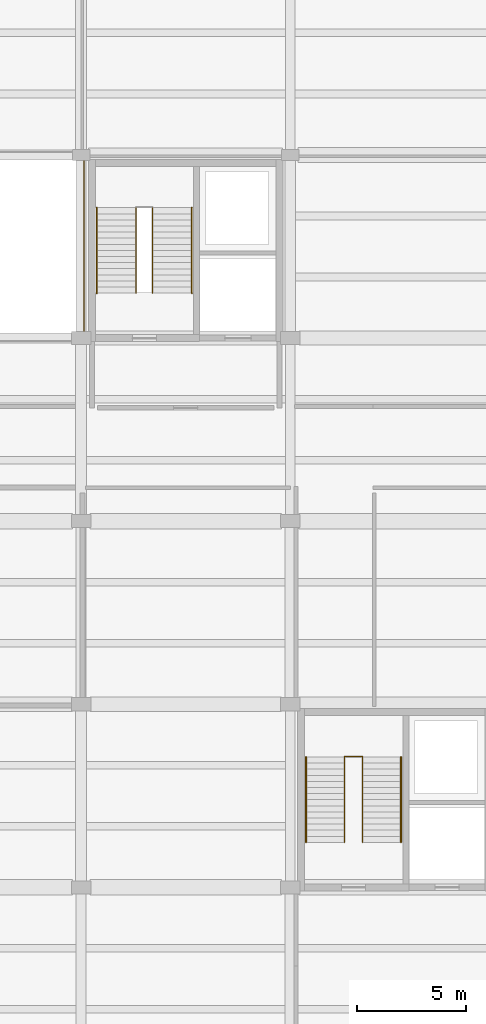
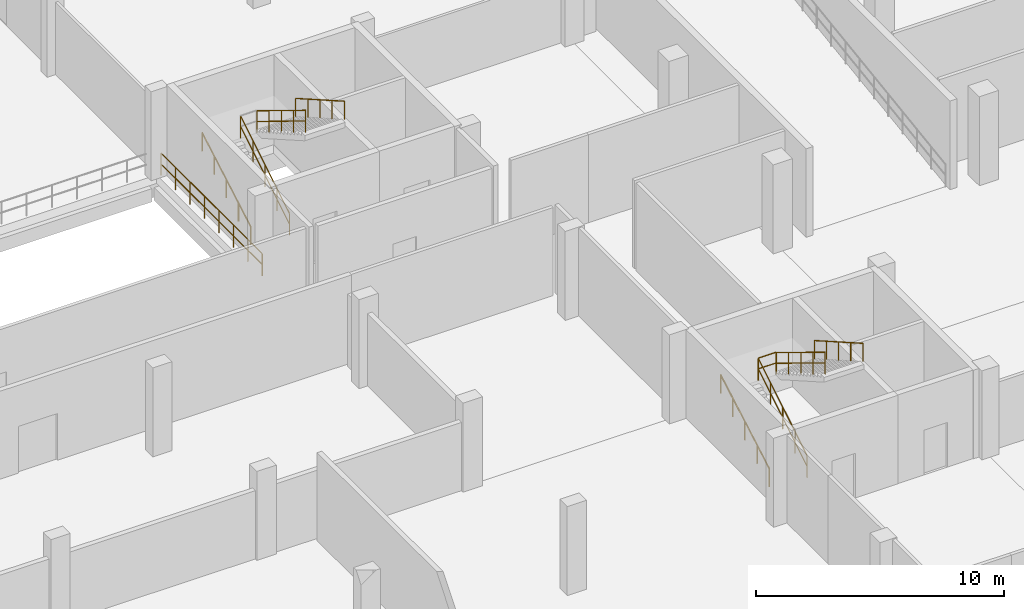
# One storey, part 27 of 30: 10 railings.
"""IFC4 building model written with IfcOpenShell, lengths in metres."""

from ifc_helpers import new_model, si_unit, direction, frame, origin, origin_2d, place, context, subcontext, project, spatial, circle, extrude, material, layer, layer_set, type_object, element, save


model = new_model("IFC4")

# Units and contexts
model_context = context("Model", 3, precision=1e-05, world=origin(), true_north=direction((0.0, 1.0)))
body_context = subcontext(model_context, "Body", "Model", "MODEL_VIEW")
ifc_project = project(units=[si_unit("LENGTHUNIT", "METRE"), si_unit("AREAUNIT", "SQUARE_METRE"), si_unit("VOLUMEUNIT", "CUBIC_METRE"), si_unit("PLANEANGLEUNIT", "RADIAN"), si_unit("MASSUNIT", "GRAM", prefix="KILO")], contexts=[model_context])

# Site, building, storey
site_placement = place(None, origin())
site = spatial("IfcSite", under=ifc_project, at=site_placement, CompositionType="ELEMENT")
building_placement = place(site_placement, origin())
building = spatial("IfcBuilding", under=site, at=building_placement, Name="Lornevale Opera House", CompositionType="ELEMENT")
storey_placement = place(building_placement, frame((0.0, 0.0, -4.800048828125)))
storey = spatial("IfcBuildingStorey", under=building, at=storey_placement, Name="B1", CompositionType="ELEMENT", Elevation=-4.800048828125)

# Railings
ifc_material = material(Name="Structural Steel CSA G40.21 Grade 350W (350 MPa)", Category="steel")
ifc_layer_1 = layer(ifc_material, 0.06005859375)
ifc_layer_set_1 = layer_set([ifc_layer_1], Name="Structural Steel CSA G40.21 Grade 350W (350 MPa)")
railing_type_1 = type_object("IfcRailingType", Name="Atrium Acoustic Balustrade 1120", PredefinedType="BALUSTRADE", material=ifc_layer_set_1)
railing_1_placement = place(storey_placement, frame((96.139892578125, 58.919921875, 0.0)))
element("IfcRailing", 1, at=railing_1_placement, inside=storey, type_object=railing_type_1, Name="Atrium & Bowl Balustrade B1 0258", PredefinedType="BALUSTRADE", context=body_context, shape_type="SweptSolid", body=[
    extrude(circle(Radius=0.02392578125, at=origin_2d()), frame((0.0, 0.0, 1.09619140625), z_axis=(0.0, 1.0, 0.0), x_axis=(-1.0, 0.0, 0.0)), (0.0, 0.0, 1.0), 8.16015625),
    extrude(circle(Radius=0.02392578125, at=origin_2d()), frame((0.0, 0.0, 0.56005859375), z_axis=(0.0, 1.0, 0.0), x_axis=(-1.0, 0.0, 0.0)), (0.0, 0.0, 1.0), 8.16015625),
    extrude(circle(Radius=0.02099609375, at=origin_2d()), origin(), (0.0, 0.0, 1.0), 1.072021484375),
    extrude(circle(Radius=0.02099609375, at=origin_2d()), frame((0.0, 1.165771484375, 0.0)), (0.0, 0.0, 1.0), 1.072021484375),
    extrude(circle(Radius=0.02099609375, at=origin_2d()), frame((0.0, 2.33154296875, 0.0)), (0.0, 0.0, 1.0), 1.072021484375),
    extrude(circle(Radius=0.02099609375, at=origin_2d()), frame((0.0, 3.497314453125, 0.0)), (0.0, 0.0, 1.0), 1.072021484375),
    extrude(circle(Radius=0.02099609375, at=origin_2d()), frame((0.0, 4.662841796875, 0.0)), (0.0, 0.0, 1.0), 1.072021484375),
    extrude(circle(Radius=0.02099609375, at=origin_2d()), frame((0.0, 5.82861328125, 0.0)), (0.0, 0.0, 1.0), 1.072021484375),
    extrude(circle(Radius=0.02099609375, at=origin_2d()), frame((0.0, 6.994384765625, 0.0)), (0.0, 0.0, 1.0), 1.072021484375),
    extrude(circle(Radius=0.02099609375, at=origin_2d()), frame((0.0, 8.16015625, 0.0)), (0.0, 0.0, 1.0), 1.072021484375),
])
ifc_layer_2 = layer(ifc_material, 0.050048828125)
ifc_layer_set_2 = layer_set([ifc_layer_2], Name="Structural Steel CSA G40.21 Grade 350W (350 MPa)")
railing_type_2 = type_object("IfcRailingType", Name="Stair Well Guardrail 1100", PredefinedType="GUARDRAIL", material=ifc_layer_set_2)
railing_2_placement = place(storey_placement, frame((108.080078125, 35.659912109375, 0.0)))
element("IfcRailing", 2, at=railing_2_placement, inside=storey, type_object=railing_type_2, Name="ST-05 Inner Well Guard F1", PredefinedType="GUARDRAIL", context=body_context, shape_type="SweptSolid", body=[
    extrude(circle(Radius=0.02392578125, at=origin_2d()), frame((0.0, 0.0, 1.076171875), z_axis=(0.0, 0.852846959695, 0.522160955394), x_axis=(-1.0, 0.0, 0.0)), (0.0, 0.0, 1.0), 4.5966796875),
    extrude(circle(Radius=0.02392578125, at=origin_2d()), frame((0.0, 0.0, 0.550048828125), z_axis=(0.0, 0.852846959695, 0.522160955394), x_axis=(-1.0, 0.0, 0.0)), (0.0, 0.0, 1.0), 4.5966796875),
    extrude(circle(Radius=0.02099609375, at=origin_2d()), origin(), (0.0, 0.0, 1.0), 1.052001953125),
    extrude(circle(Radius=0.02099609375, at=origin_2d()), frame((0.0, 0.97998046875, 0.60009765625)), (0.0, 0.0, 1.0), 1.052001953125),
    extrude(circle(Radius=0.02099609375, at=origin_2d()), frame((0.0, 1.9599609375, 1.2001953125)), (0.0, 0.0, 1.0), 1.052001953125),
    extrude(circle(Radius=0.02099609375, at=origin_2d()), frame((0.0, 2.940185546875, 1.800048828125)), (0.0, 0.0, 1.0), 1.052001953125),
    extrude(circle(Radius=0.02099609375, at=origin_2d()), frame((0.0, 3.920166015625, 2.400146484375)), (0.0, 0.0, 1.0), 1.052001953125),
])
railing_3_placement = place(storey_placement, frame((108.919921875, 39.580078125, 2.400146484375)))
element("IfcRailing", 3, at=railing_3_placement, inside=storey, type_object=railing_type_2, Name="ST-05 Inner Well Guard F2", PredefinedType="GUARDRAIL", context=body_context, shape_type="SweptSolid", body=[
    extrude(circle(Radius=0.02392578125, at=origin_2d()), frame((0.0, 0.0, 1.076171875), z_axis=(0.0, -0.852870612257, 0.522122321634), x_axis=(1.0, 0.0, 0.0)), (0.0, 0.0, 1.0), 4.596435546875),
    extrude(circle(Radius=0.02392578125, at=origin_2d()), frame((0.0, 0.0, 0.550048828125), z_axis=(0.0, -0.852870612257, 0.522122321634), x_axis=(1.0, 0.0, 0.0)), (0.0, 0.0, 1.0), 4.596435546875),
    extrude(circle(Radius=0.02099609375, at=origin_2d()), origin(), (0.0, 0.0, 1.0), 1.052001953125),
    extrude(circle(Radius=0.02099609375, at=origin_2d()), frame((0.0, -0.97998046875, 0.60009765625)), (0.0, 0.0, 1.0), 1.052001953125),
    extrude(circle(Radius=0.02099609375, at=origin_2d()), frame((0.0, -1.9599609375, 1.199951171875)), (0.0, 0.0, 1.0), 1.052001953125),
    extrude(circle(Radius=0.02099609375, at=origin_2d()), frame((0.0, -2.940185546875, 1.7998046875)), (0.0, 0.0, 1.0), 1.052001953125),
    extrude(circle(Radius=0.02099609375, at=origin_2d()), frame((0.0, -3.920166015625, 2.39990234375)), (0.0, 0.0, 1.0), 1.052001953125),
])
railing_4_placement = place(storey_placement, frame((108.080078125, 39.610107421875, 2.400146484375)))
element("IfcRailing", 4, at=railing_4_placement, inside=storey, type_object=railing_type_2, Name="ST-05 Half-Landing Slot Guard", PredefinedType="GUARDRAIL", context=body_context, shape_type="SweptSolid", body=[
    extrude(circle(Radius=0.02392578125, at=origin_2d()), frame((0.0, 0.0, 1.076171875), z_axis=(1.0, 0.0, 0.0), x_axis=(0.0, 1.0, 0.0)), (0.0, 0.0, 1.0), 0.83984375),
    extrude(circle(Radius=0.02392578125, at=origin_2d()), frame((0.0, 0.0, 0.550048828125), z_axis=(1.0, 0.0, 0.0), x_axis=(0.0, 1.0, 0.0)), (0.0, 0.0, 1.0), 0.83984375),
    extrude(circle(Radius=0.02099609375, at=origin_2d()), origin(), (0.0, 0.0, 1.0), 1.052001953125),
    extrude(circle(Radius=0.02099609375, at=origin_2d()), frame((0.83984375, 0.0, 0.0)), (0.0, 0.0, 1.0), 1.052001953125),
])
railing_5_placement = place(storey_placement, frame((98.52001953125, 60.860107421875, 0.0)))
element("IfcRailing", 5, at=railing_5_placement, inside=storey, type_object=railing_type_2, Name="ST-21 Inner Well Guard F1", PredefinedType="GUARDRAIL", context=body_context, shape_type="SweptSolid", body=[
    extrude(circle(Radius=0.02392578125, at=origin_2d()), frame((0.0, 0.0, 1.076171875), z_axis=(0.0, 0.852832477147, 0.522184609045), x_axis=(-1.0, 0.0, 0.0)), (0.0, 0.0, 1.0), 4.596435546875),
    extrude(circle(Radius=0.02392578125, at=origin_2d()), frame((0.0, 0.0, 0.550048828125), z_axis=(0.0, 0.852832477147, 0.522184609045), x_axis=(-1.0, 0.0, 0.0)), (0.0, 0.0, 1.0), 4.596435546875),
    extrude(circle(Radius=0.02099609375, at=origin_2d()), origin(), (0.0, 0.0, 1.0), 1.052001953125),
    extrude(circle(Radius=0.02099609375, at=origin_2d()), frame((0.0, 0.97998046875, 0.60009765625)), (0.0, 0.0, 1.0), 1.052001953125),
    extrude(circle(Radius=0.02099609375, at=origin_2d()), frame((0.0, 1.9599609375, 1.2001953125)), (0.0, 0.0, 1.0), 1.052001953125),
    extrude(circle(Radius=0.02099609375, at=origin_2d()), frame((0.0, 2.93994140625, 1.800048828125)), (0.0, 0.0, 1.0), 1.052001953125),
    extrude(circle(Radius=0.02099609375, at=origin_2d()), frame((0.0, 3.919921875, 2.400146484375)), (0.0, 0.0, 1.0), 1.052001953125),
])
railing_6_placement = place(storey_placement, frame((99.280029296875, 64.780029296875, 2.400146484375)))
element("IfcRailing", 6, at=railing_6_placement, inside=storey, type_object=railing_type_2, Name="ST-21 Inner Well Guard F2", PredefinedType="GUARDRAIL", context=body_context, shape_type="SweptSolid", body=[
    extrude(circle(Radius=0.02392578125, at=origin_2d()), frame((0.0, 0.0, 1.076171875), z_axis=(0.0, -0.852856131449, 0.522145974847), x_axis=(1.0, 0.0, 0.0)), (0.0, 0.0, 1.0), 4.59619140625),
    extrude(circle(Radius=0.02392578125, at=origin_2d()), frame((0.0, 0.0, 0.550048828125), z_axis=(0.0, -0.852856131449, 0.522145974847), x_axis=(1.0, 0.0, 0.0)), (0.0, 0.0, 1.0), 4.59619140625),
    extrude(circle(Radius=0.02099609375, at=origin_2d()), origin(), (0.0, 0.0, 1.0), 1.052001953125),
    extrude(circle(Radius=0.02099609375, at=origin_2d()), frame((0.0, -0.97998046875, 0.60009765625)), (0.0, 0.0, 1.0), 1.052001953125),
    extrude(circle(Radius=0.02099609375, at=origin_2d()), frame((0.0, -1.9599609375, 1.199951171875)), (0.0, 0.0, 1.0), 1.052001953125),
    extrude(circle(Radius=0.02099609375, at=origin_2d()), frame((0.0, -2.93994140625, 1.7998046875)), (0.0, 0.0, 1.0), 1.052001953125),
    extrude(circle(Radius=0.02099609375, at=origin_2d()), frame((0.0, -3.919921875, 2.39990234375)), (0.0, 0.0, 1.0), 1.052001953125),
])
ifc_layer_3 = layer(ifc_material, 0.048095703125)
ifc_layer_set_3 = layer_set([ifc_layer_3], Name="Structural Steel CSA G40.21 Grade 350W (350 MPa)")
railing_type_3 = type_object("IfcRailingType", Name="Tubular Stair Handrail 915", PredefinedType="HANDRAIL", material=ifc_layer_set_3)
railing_7_placement = place(storey_placement, frame((106.320068359375, 35.659912109375, 0.1630859375)))
element("IfcRailing", 7, at=railing_7_placement, inside=storey, type_object=railing_type_3, Name="ST-05 Outer Handrail F1", PredefinedType="HANDRAIL", context=body_context, shape_type="SweptSolid", body=[
    extrude(circle(Radius=0.02392578125, at=origin_2d()), frame((0.0, 0.0, 0.89111328125), z_axis=(0.0, 0.86825312469, 0.496121468458), x_axis=(-1.0, 0.0, 0.0)), (0.0, 0.0, 1.0), 4.514892578125),
    extrude(circle(Radius=0.02099609375, at=origin_2d()), origin(), (0.0, 0.0, 1.0), 0.866943359375),
    extrude(circle(Radius=0.02099609375, at=origin_2d()), frame((0.0, 0.97998046875, 0.56005859375)), (0.0, 0.0, 1.0), 0.866943359375),
    extrude(circle(Radius=0.02099609375, at=origin_2d()), frame((0.0, 1.9599609375, 1.1201171875)), (0.0, 0.0, 1.0), 0.866943359375),
    extrude(circle(Radius=0.02099609375, at=origin_2d()), frame((0.0, 2.940185546875, 1.679931640625)), (0.0, 0.0, 1.0), 0.866943359375),
    extrude(circle(Radius=0.02099609375, at=origin_2d()), frame((0.0, 3.920166015625, 2.239990234375)), (0.0, 0.0, 1.0), 0.866943359375),
])
railing_8_placement = place(storey_placement, frame((110.679931640625, 39.580078125, 2.56298828125)))
element("IfcRailing", 8, at=railing_8_placement, inside=storey, type_object=railing_type_3, Name="ST-05 Outer Handrail F2", PredefinedType="HANDRAIL", context=body_context, shape_type="SweptSolid", body=[
    extrude(circle(Radius=0.02392578125, at=origin_2d()), frame((0.0, 0.0, 0.89111328125), z_axis=(0.0, -0.86825312469, 0.496121468458), x_axis=(1.0, 0.0, 0.0)), (0.0, 0.0, 1.0), 4.514892578125),
    extrude(circle(Radius=0.02099609375, at=origin_2d()), origin(), (0.0, 0.0, 1.0), 0.866943359375),
    extrude(circle(Radius=0.02099609375, at=origin_2d()), frame((0.0, -0.97998046875, 0.56005859375)), (0.0, 0.0, 1.0), 0.866943359375),
    extrude(circle(Radius=0.02099609375, at=origin_2d()), frame((0.0, -1.9599609375, 1.1201171875)), (0.0, 0.0, 1.0), 0.866943359375),
    extrude(circle(Radius=0.02099609375, at=origin_2d()), frame((0.0, -2.940185546875, 1.679931640625)), (0.0, 0.0, 1.0), 0.866943359375),
    extrude(circle(Radius=0.02099609375, at=origin_2d()), frame((0.0, -3.920166015625, 2.239990234375)), (0.0, 0.0, 1.0), 0.866943359375),
])
railing_9_placement = place(storey_placement, frame((96.719970703125, 60.860107421875, 0.1630859375)))
element("IfcRailing", 9, at=railing_9_placement, inside=storey, type_object=railing_type_3, Name="ST-21 Outer Handrail F1", PredefinedType="HANDRAIL", context=body_context, shape_type="SweptSolid", body=[
    extrude(circle(Radius=0.02392578125, at=origin_2d()), frame((0.0, 0.0, 0.89111328125), z_axis=(0.0, 0.868239814368, 0.496144761885), x_axis=(-1.0, 0.0, 0.0)), (0.0, 0.0, 1.0), 4.514892578125),
    extrude(circle(Radius=0.02099609375, at=origin_2d()), origin(), (0.0, 0.0, 1.0), 0.866943359375),
    extrude(circle(Radius=0.02099609375, at=origin_2d()), frame((0.0, 0.97998046875, 0.56005859375)), (0.0, 0.0, 1.0), 0.866943359375),
    extrude(circle(Radius=0.02099609375, at=origin_2d()), frame((0.0, 1.9599609375, 1.1201171875)), (0.0, 0.0, 1.0), 0.866943359375),
    extrude(circle(Radius=0.02099609375, at=origin_2d()), frame((0.0, 2.93994140625, 1.679931640625)), (0.0, 0.0, 1.0), 0.866943359375),
    extrude(circle(Radius=0.02099609375, at=origin_2d()), frame((0.0, 3.919921875, 2.239990234375)), (0.0, 0.0, 1.0), 0.866943359375),
])
railing_10_placement = place(storey_placement, frame((101.080078125, 64.780029296875, 2.56298828125)))
element("IfcRailing", 10, at=railing_10_placement, inside=storey, type_object=railing_type_3, Name="ST-21 Outer Handrail F2", PredefinedType="HANDRAIL", context=body_context, shape_type="SweptSolid", body=[
    extrude(circle(Radius=0.02392578125, at=origin_2d()), frame((0.0, 0.0, 0.89111328125), z_axis=(0.0, -0.868239814368, 0.496144761885), x_axis=(1.0, 0.0, 0.0)), (0.0, 0.0, 1.0), 4.514892578125),
    extrude(circle(Radius=0.02099609375, at=origin_2d()), origin(), (0.0, 0.0, 1.0), 0.866943359375),
    extrude(circle(Radius=0.02099609375, at=origin_2d()), frame((0.0, -0.97998046875, 0.56005859375)), (0.0, 0.0, 1.0), 0.866943359375),
    extrude(circle(Radius=0.02099609375, at=origin_2d()), frame((0.0, -1.9599609375, 1.1201171875)), (0.0, 0.0, 1.0), 0.866943359375),
    extrude(circle(Radius=0.02099609375, at=origin_2d()), frame((0.0, -2.93994140625, 1.679931640625)), (0.0, 0.0, 1.0), 0.866943359375),
    extrude(circle(Radius=0.02099609375, at=origin_2d()), frame((0.0, -3.919921875, 2.239990234375)), (0.0, 0.0, 1.0), 0.866943359375),
])

save(model, "model.ifc")
